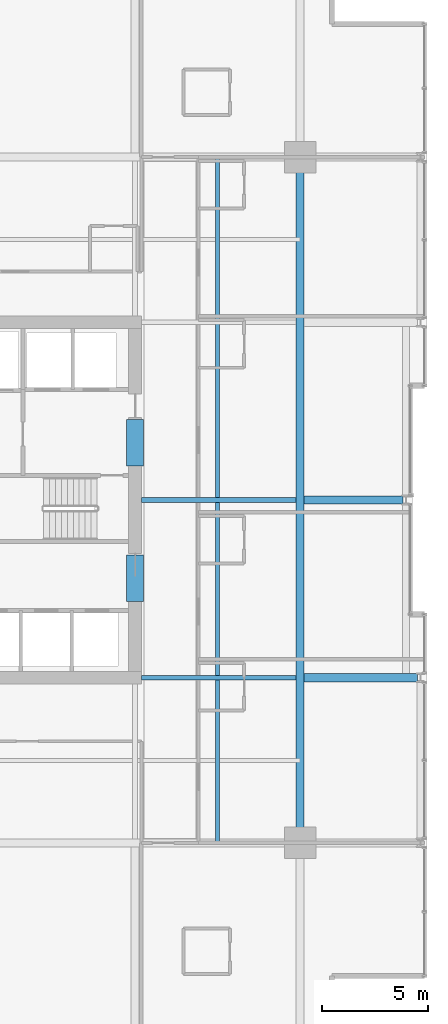
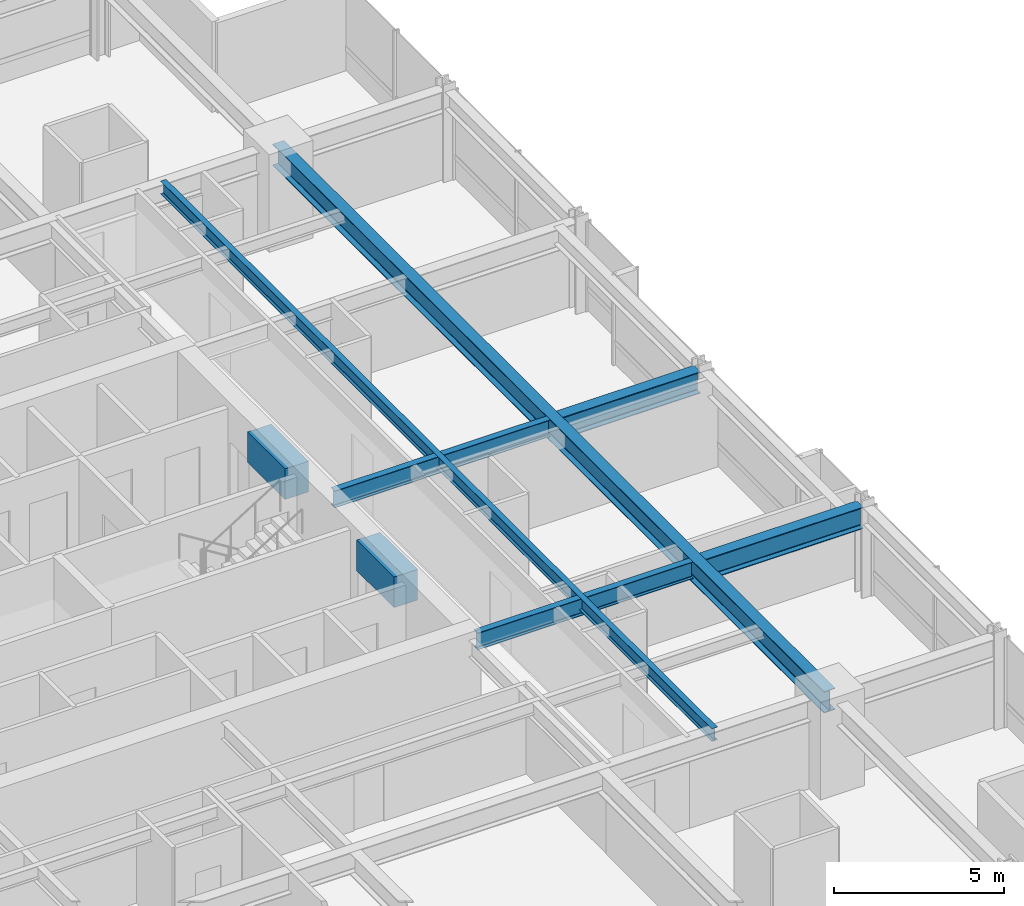
# One storey, part 14 of 34: 8 beams.
"""IFC4 building model written with IfcOpenShell, lengths in metres."""

from ifc_helpers import new_model, si_unit, direction, frame, origin, origin_2d, place, context, subcontext, project, spatial, rectangle, i_section, extrude, material, material_profile, profile_set, type_object, element, save


model = new_model("IFC4")

# Units and contexts
model_context = context("Model", 3, precision=1e-05, world=origin(), true_north=direction((0.0, 1.0)))
body_context = subcontext(model_context, "Body", "Model", "MODEL_VIEW")
ifc_project = project(units=[si_unit("LENGTHUNIT", "METRE"), si_unit("AREAUNIT", "SQUARE_METRE"), si_unit("VOLUMEUNIT", "CUBIC_METRE"), si_unit("PLANEANGLEUNIT", "RADIAN"), si_unit("MASSUNIT", "GRAM", prefix="KILO")], contexts=[model_context])

# Site, building, storey
site_placement = place(None, origin())
site = spatial("IfcSite", under=ifc_project, at=site_placement, CompositionType="ELEMENT")
building_placement = place(site_placement, origin())
building = spatial("IfcBuilding", under=site, at=building_placement, Name="Drelvath Grand Hotel", CompositionType="ELEMENT")
storey_placement = place(building_placement, frame((0.0, 0.0, 109.300048828125)))
storey = spatial("IfcBuildingStorey", under=building, at=storey_placement, Name="L27", CompositionType="ELEMENT", Elevation=109.300048828125)

# Beams
ifc_material_1 = material(Name="Steel ASTM A992 Gr 50", Category="steel")
ifc_material_profile_1 = material_profile(ifc_material_1, i_section(OverallWidth=0.19140625, OverallDepth=0.4599609375, WebThickness=0.010009765625, FlangeThickness=0.01611328125, FilletRadius=0.01611328125, at=origin_2d()), Name="W18X55")
ifc_profile_set_1 = profile_set([ifc_material_profile_1], Name="Steel ASTM A992 Gr 50")
beam_type_1 = type_object("IfcBeamType", Name="Composite Floor Joist W18X55", PredefinedType="JOIST", material=ifc_profile_set_1)
beam_1_placement = place(storey_placement, frame((12.300048828125, 10.800048828125, 3.010009765625), z_axis=(0.0, 1.0, 0.0), x_axis=(-1.0, 0.0, 0.0)))
element("IfcBeam", 1, at=beam_1_placement, inside=storey, type_object=beam_type_1, Name="L27 Wing Floor Joist J4", PredefinedType="JOIST", context=body_context, shape_type="SweptSolid", body=[
    extrude(i_section(OverallWidth=0.19140625, OverallDepth=0.4599609375, WebThickness=0.010009765625, FlangeThickness=0.01611328125, FilletRadius=0.01611328125, at=origin_2d()), origin(), (0.0, 0.0, 1.0), 32.39990234375),
])
ifc_material_2 = material(Name="Concrete f'c 70 MPa", Category="concrete")
ifc_material_profile_2 = material_profile(ifc_material_2, rectangle(XDim=0.800048828125, YDim=1.10009765625, at=origin_2d()), Name="CB800X1100")
ifc_profile_set_2 = profile_set([ifc_material_profile_2], Name="Concrete f'c 70 MPa")
beam_type_2 = type_object("IfcBeamType", Name="Core Coupling Lintel CB800X1100", PredefinedType="LINTEL", material=ifc_profile_set_2)
for number, where, z_axis, x_axis, name in (
    (2, (8.39990234375, 22.199951171875, 2.68994140625), (0.0, 1.0, 0.0), (-1.0, 0.0, 0.0), "L27 Core Coupling Lintel ES"),
    (3, (8.39990234375, 28.60009765625, 2.68994140625), (0.0, 1.0, 0.0), (-1.0, 0.0, 0.0), "L27 Core Coupling Lintel EN"),
):
    element("IfcBeam", number, at=place(storey_placement, frame(where, z_axis=z_axis, x_axis=x_axis)), inside=storey, type_object=beam_type_2, Name=name, PredefinedType="LINTEL", context=body_context, shape_type="SweptSolid", body=[
        extrude(rectangle(XDim=0.800048828125, YDim=1.10009765625, at=origin_2d()), origin(), (0.0, 0.0, 1.0), 2.199951171875),
    ])
ifc_material_profile_3 = material_profile(ifc_material_1, i_section(OverallWidth=0.228271484375, OverallDepth=0.607666015625, WebThickness=0.01123046875, FlangeThickness=0.017333984375, FilletRadius=0.02001953125, at=origin_2d()), Name="W24X76")
ifc_profile_set_3 = profile_set([ifc_material_profile_3], Name="Steel ASTM A992 Gr 50")
beam_type_3 = type_object("IfcBeamType", Name="Primary Floor Girder W24X76", PredefinedType="BEAM", material=ifc_profile_set_3)
for number, where, z_axis, x_axis, name in (
    (4, (8.699951171875, 18.60009765625, 2.93603515625), (1.0, 0.0, 0.0), (0.0, 1.0, 0.0), "L27 East Core Tie D"),
    (5, (8.699951171875, 27.0, 2.93603515625), (1.0, 0.0, 0.0), (0.0, 1.0, 0.0), "L27 East Core Tie E"),
):
    element("IfcBeam", number, at=place(storey_placement, frame(where, z_axis=z_axis, x_axis=x_axis)), inside=storey, type_object=beam_type_3, Name=name, PredefinedType="BEAM", context=body_context, shape_type="SweptSolid", body=[
        extrude(i_section(OverallWidth=0.228271484375, OverallDepth=0.607666015625, WebThickness=0.01123046875, FlangeThickness=0.017333984375, FilletRadius=0.02001953125, at=origin_2d()), origin(), (0.0, 0.0, 1.0), 7.309814453125),
    ])
ifc_material_profile_4 = material_profile(ifc_material_1, i_section(OverallWidth=0.380615234375, OverallDepth=0.773193359375, WebThickness=0.0166015625, FlangeThickness=0.027099609375, FilletRadius=0.02490234375, at=origin_2d()), Name="W30X173")
ifc_profile_set_4 = profile_set([ifc_material_profile_4], Name="Steel ASTM A992 Gr 50")
beam_type_4 = type_object("IfcBeamType", Name="Primary Floor Girder W30X173", PredefinedType="BEAM", material=ifc_profile_set_4)
beam_2_placement = place(storey_placement, frame((16.199951171875, 10.800048828125, 2.853271484375), z_axis=(0.0, 1.0, 0.0), x_axis=(-1.0, 0.0, 0.0)))
element("IfcBeam", 6, at=beam_2_placement, inside=storey, type_object=beam_type_4, Name="L27 Mega Ring Girder East", PredefinedType="BEAM", context=body_context, shape_type="SweptSolid", body=[
    extrude(i_section(OverallWidth=0.380615234375, OverallDepth=0.773193359375, WebThickness=0.0166015625, FlangeThickness=0.027099609375, FilletRadius=0.02490234375, at=origin_2d()), origin(), (0.0, 0.0, 1.0), 32.39990234375),
])
beam_3_placement = place(storey_placement, frame((16.390380859375, 18.60009765625, 2.853271484375), z_axis=(1.0, 0.0, 0.0), x_axis=(0.0, 1.0, 0.0)))
element("IfcBeam", 7, at=beam_3_placement, inside=storey, type_object=beam_type_4, Name="L27 East Wing Girder D", PredefinedType="BEAM", context=body_context, shape_type="SweptSolid", body=[
    extrude(i_section(OverallWidth=0.380615234375, OverallDepth=0.773193359375, WebThickness=0.0166015625, FlangeThickness=0.027099609375, FilletRadius=0.02490234375, at=origin_2d()), origin(), (0.0, 0.0, 1.0), 5.349609375),
])
beam_4_placement = place(storey_placement, frame((16.390380859375, 27.0, 2.853271484375), z_axis=(1.0, 0.0, 0.0), x_axis=(0.0, 1.0, 0.0)))
element("IfcBeam", 8, at=beam_4_placement, inside=storey, type_object=beam_type_4, Name="L27 East Wing Girder E", PredefinedType="BEAM", context=body_context, shape_type="SweptSolid", body=[
    extrude(i_section(OverallWidth=0.380615234375, OverallDepth=0.773193359375, WebThickness=0.0166015625, FlangeThickness=0.027099609375, FilletRadius=0.02490234375, at=origin_2d()), origin(), (0.0, 0.0, 1.0), 4.669677734375),
])

save(model, "model.ifc")
